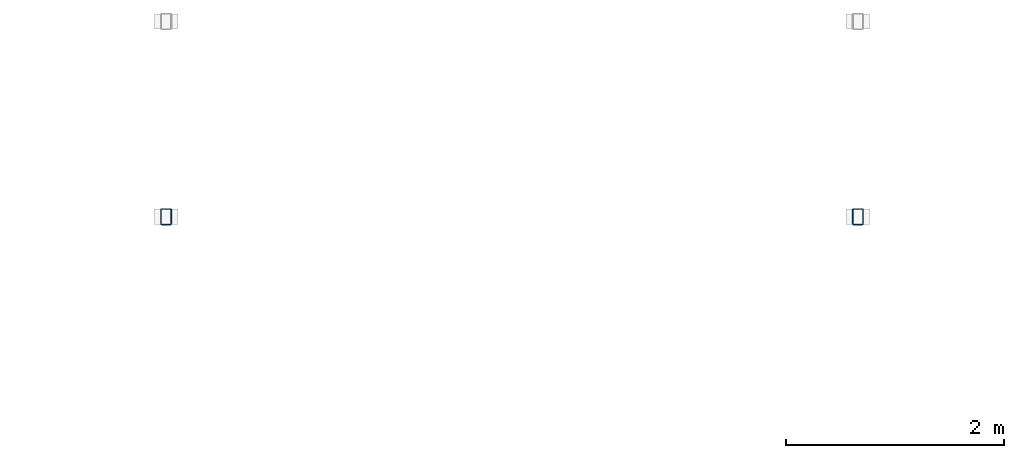
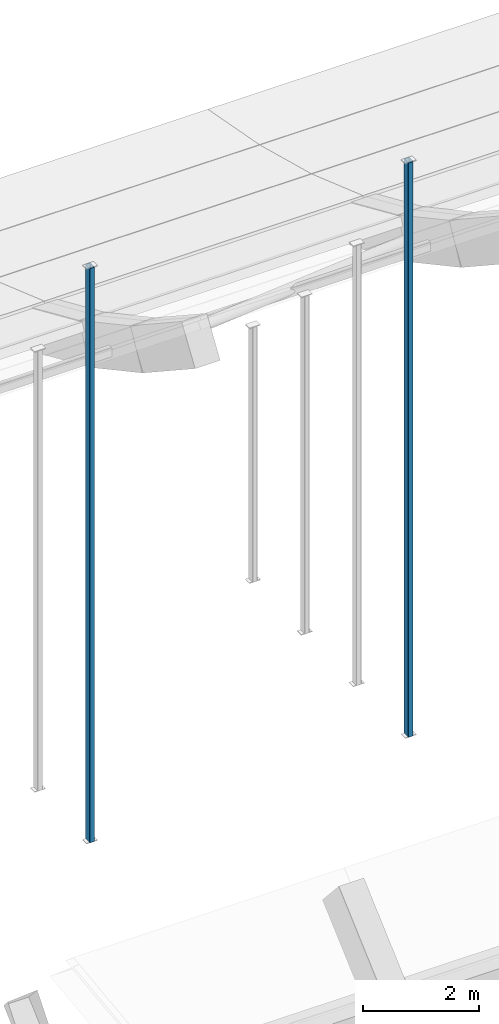
# One storey, part 18 of 77: 2 members.
"""IFC4 building model written with IfcOpenShell, lengths in metres."""

from ifc_helpers import new_model, si_unit, direction, frame, origin, origin_2d, place, context, subcontext, project, spatial, hollow_rectangle, extrude, material, material_profile, profile_set, type_object, element, save


model = new_model("IFC4")

# Units and contexts
model_context = context("Model", 3, precision=1e-05, world=origin(), true_north=direction((0.0, 1.0)))
body_context = subcontext(model_context, "Body", "Model", "MODEL_VIEW")
ifc_project = project(units=[si_unit("LENGTHUNIT", "METRE"), si_unit("AREAUNIT", "SQUARE_METRE"), si_unit("VOLUMEUNIT", "CUBIC_METRE"), si_unit("PLANEANGLEUNIT", "RADIAN"), si_unit("MASSUNIT", "GRAM", prefix="KILO")], contexts=[model_context])

# Site, building, storey
site_placement = place(None, origin())
site = spatial("IfcSite", under=ifc_project, at=site_placement, CompositionType="ELEMENT")
building_placement = place(site_placement, origin())
building = spatial("IfcBuilding", under=site, at=building_placement, Name="Trellovar Central Fire Station", CompositionType="ELEMENT")
storey_placement = place(building_placement, frame((0.0, 0.0, 5.85009765625)))
storey = spatial("IfcBuildingStorey", under=building, at=storey_placement, Name="L02", CompositionType="ELEMENT", Elevation=5.85009765625)

# Members
ifc_material = material(Name="Steel ASTM A500 Grade C", Category="steel")
ifc_material_profile = material_profile(ifc_material, hollow_rectangle(XDim=0.1015625, YDim=0.15234375, WallThickness=0.005859375, InnerFilletRadius=0.005859375, OuterFilletRadius=0.01171875, at=origin_2d()), Name="HSS6X4X1/4")
ifc_profile_set = profile_set([ifc_material_profile], Name="Steel ASTM A500 Grade C")
member_type = type_object("IfcMemberType", Name="MEM-ST2", PredefinedType="STRUT", material=ifc_profile_set)
for number, where, z_axis, x_axis, name in (
    (1, (54.050048828125, 24.47998046875, -0.2001953125), (0.0, 0.0, 1.0), (1.0, 0.0, 0.0), "V1 tied-arch web post 04 Y=24.5"),
    (2, (60.39990234375, 24.47998046875, -0.2001953125), (0.0, 0.0, 1.0), (1.0, 0.0, 0.0), "V1 tied-arch web post 05 Y=24.5"),
):
    element("IfcMember", number, at=place(storey_placement, frame(where, z_axis=z_axis, x_axis=x_axis)), inside=storey, type_object=member_type, Name=name, PredefinedType="STRUT", context=body_context, shape_type="SweptSolid", body=[
        extrude(hollow_rectangle(XDim=0.1015625, YDim=0.15234375, WallThickness=0.005859375, InnerFilletRadius=0.005859375, OuterFilletRadius=0.01171875, at=origin_2d()), origin(), (0.0, 0.0, 1.0), 12.10009765625),
    ])

save(model, "model.ifc")
